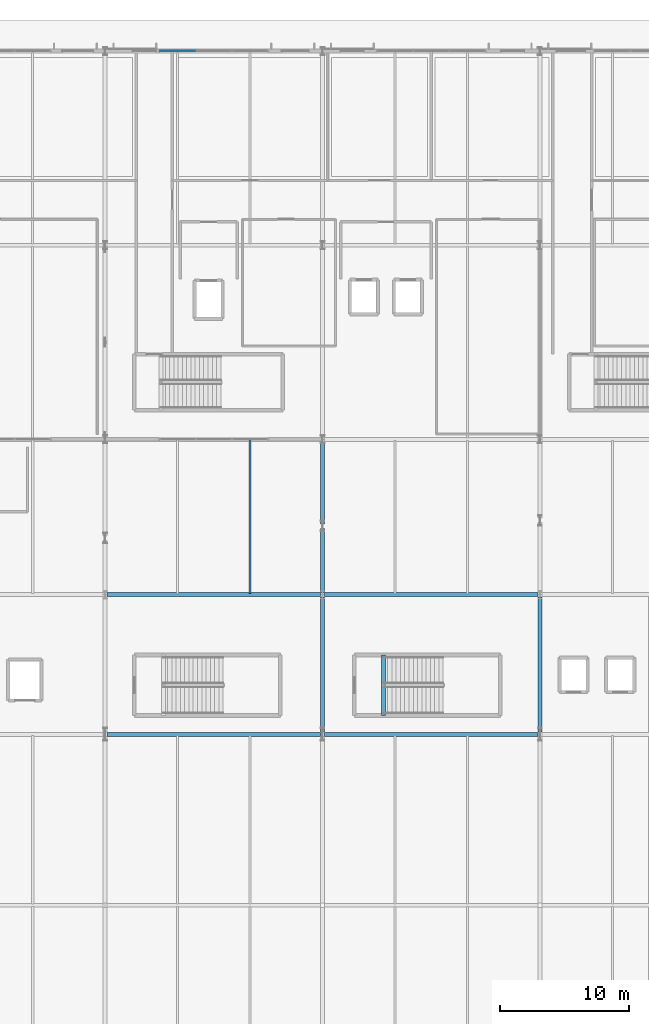
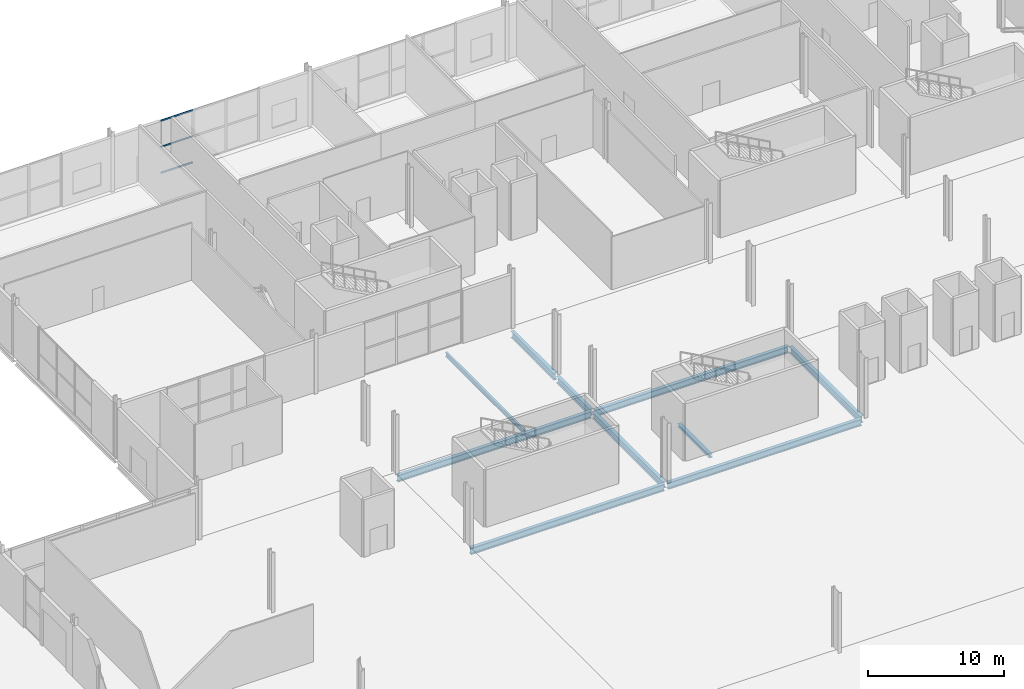
# One storey, part 31 of 87: 10 beams, 3 members, 1 element without a shape of its own.
"""IFC4 building model written with IfcOpenShell, lengths in metres."""

from ifc_helpers import new_model, si_unit, direction, frame, origin, origin_2d, place, context, subcontext, project, spatial, rectangle, i_section, extrude, material, material_profile, profile_set, type_object, element, aggregate, save


model = new_model("IFC4")

# Units and contexts
model_context = context("Model", 3, precision=1e-05, world=origin(), true_north=direction((0.0, 1.0)))
body_context = subcontext(model_context, "Body", "Model", "MODEL_VIEW")
ifc_project = project(units=[si_unit("LENGTHUNIT", "METRE"), si_unit("AREAUNIT", "SQUARE_METRE"), si_unit("VOLUMEUNIT", "CUBIC_METRE"), si_unit("PLANEANGLEUNIT", "RADIAN"), si_unit("MASSUNIT", "GRAM", prefix="KILO")], contexts=[model_context])

# Site, building, storey
site_placement = place(None, origin())
site = spatial("IfcSite", under=ifc_project, at=site_placement, CompositionType="ELEMENT")
building_placement = place(site_placement, origin())
building = spatial("IfcBuilding", under=site, at=building_placement, Name="Kimbaza Rail Terminus", CompositionType="ELEMENT")
storey_placement = place(building_placement, origin())
storey = spatial("IfcBuildingStorey", under=building, at=storey_placement, Name="L00", CompositionType="ELEMENT", Elevation=0.0)

# Curtain wall, members
ifc_material_1 = material(Name="Anodised aluminium framing and solar low-E glazing", Category="aluminium")
curtain_wall_type = type_object("IfcCurtainWallType", Name="ARC-CW-OP1", PredefinedType="USERDEFINED", material=ifc_material_1)
curtain_wall_placement = place(storey_placement, origin())
curtain_wall = element("IfcCurtainWall", 1, at=curtain_wall_placement, inside=storey, type_object=curtain_wall_type, Name="Operations North Curtain Wall L00 Bay 2", ObjectType="UNITISED CURTAIN WALL", PredefinedType="USERDEFINED")
ifc_material_2 = material(Name="Anodised architectural aluminium", Category="aluminium")
ifc_material_profile_1 = material_profile(ifc_material_2, rectangle(XDim=0.06201171875, YDim=0.135009765625, at=origin_2d()), Name="TRANSOM 62x135")
ifc_profile_set_1 = profile_set([ifc_material_profile_1], Name="Anodised architectural aluminium")
member_type = type_object("IfcMemberType", Name="ARC-CWT-05", PredefinedType="USERDEFINED", material=ifc_profile_set_1)
member_1_placement = place(storey_placement, frame((76.261962890625, 133.0, 0.031005859375), z_axis=(1.0, 0.0, 0.0), x_axis=(0.0, 1.0, 0.0)))
member_1 = element("IfcMember", 2, at=member_1_placement, type_object=member_type, Name="CW-05 transom 1.1", ObjectType="TRANSOM", PredefinedType="USERDEFINED", context=body_context, shape_type="SweptSolid", body=[
    extrude(rectangle(XDim=0.06201171875, YDim=0.135009765625, at=origin_2d()), origin(), (0.0, 0.0, 1.0), 2.70703125),
])
member_2_placement = place(storey_placement, frame((76.261962890625, 133.0, 2.382568359375), z_axis=(1.0, 0.0, 0.0), x_axis=(0.0, 1.0, 0.0)))
member_2 = element("IfcMember", 3, at=member_2_placement, type_object=member_type, Name="CW-05 transom 1.2", ObjectType="TRANSOM", PredefinedType="USERDEFINED", context=body_context, shape_type="SweptSolid", body=[
    extrude(rectangle(XDim=0.06201171875, YDim=0.135009765625, at=origin_2d()), origin(), (0.0, 0.0, 1.0), 2.70703125),
])
member_3_placement = place(storey_placement, frame((76.261962890625, 133.0, 4.73388671875), z_axis=(1.0, 0.0, 0.0), x_axis=(0.0, 1.0, 0.0)))
member_3 = element("IfcMember", 4, at=member_3_placement, type_object=member_type, Name="CW-05 transom 1.3", ObjectType="TRANSOM", PredefinedType="USERDEFINED", context=body_context, shape_type="SweptSolid", body=[
    extrude(rectangle(XDim=0.06201171875, YDim=0.135009765625, at=origin_2d()), origin(), (0.0, 0.0, 1.0), 2.70703125),
])
aggregate(curtain_wall, [member_1, member_2, member_3])

# Beams
ifc_material_3 = material(Name="Steel S355", Category="steel")
ifc_material_profile_2 = material_profile(ifc_material_3, i_section(OverallWidth=0.300048828125, OverallDepth=0.2900390625, WebThickness=0.008544921875, FlangeThickness=0.013916015625, FilletRadius=0.027099609375, at=origin_2d()), Name="HEA 300")
ifc_profile_set_2 = profile_set([ifc_material_profile_2], Name="Steel S355")
beam_type_1 = type_object("IfcBeamType", Name="STR-BM-HEA300", PredefinedType="SPANDREL", material=ifc_profile_set_2)
beam_1_placement = place(storey_placement, frame((93.5, 81.659912109375, -0.39501953125), z_axis=(0.0, 1.0, 0.0), x_axis=(-1.0, 0.0, 0.0)))
element("IfcBeam", 5, at=beam_1_placement, inside=storey, type_object=beam_type_1, Name="Footbridge West Platform Stair Landing Trimmer Beam L00", PredefinedType="SPANDREL", context=body_context, shape_type="SweptSolid", body=[
    extrude(i_section(OverallWidth=0.300048828125, OverallDepth=0.2900390625, WebThickness=0.008544921875, FlangeThickness=0.013916015625, FilletRadius=0.027099609375, at=origin_2d()), origin(), (0.0, 0.0, 1.0), 4.68017578125),
])
ifc_material_4 = material(Name="Steel S355", Category="steel")
ifc_material_profile_3 = material_profile(ifc_material_4, i_section(OverallWidth=0.300048828125, OverallDepth=0.60009765625, WebThickness=0.015380859375, FlangeThickness=0.030029296875, FilletRadius=0.027099609375, at=origin_2d()), Name="HEB 600")
ifc_profile_set_3 = profile_set([ifc_material_profile_3], Name="Steel S355")
beam_type_2 = type_object("IfcBeamType", Name="STR-BM-HEB600", PredefinedType="BEAM", material=ifc_profile_set_3)
for number, where, z_axis, x_axis, name in (
    (6, (88.800048828125, 80.375, -0.550048828125), (0.0, 1.0, 0.0), (-1.0, 0.0, 0.0), "Beam BM-V2Y-L00-2-80"),
    (7, (105.60009765625, 80.375, -0.550048828125), (0.0, 1.0, 0.0), (-1.0, 0.0, 0.0), "Beam BM-V2Y-L00-3-80"),
):
    element("IfcBeam", number, at=place(storey_placement, frame(where, z_axis=z_axis, x_axis=x_axis)), inside=storey, type_object=beam_type_2, Name=name, PredefinedType="BEAM", context=body_context, shape_type="SweptSolid", body=[
        extrude(i_section(OverallWidth=0.300048828125, OverallDepth=0.60009765625, WebThickness=0.015380859375, FlangeThickness=0.030029296875, FilletRadius=0.027099609375, at=origin_2d()), origin(), (0.0, 0.0, 1.0), 10.449951171875),
    ])
for number, where, z_axis, x_axis, name in (
    (8, (72.14599609375, 80.199951171875, -0.550048828125), (1.0, 0.0, 0.0), (0.0, 1.0, 0.0), "Beam BM-V2X-L00-5-2"),
    (9, (88.946044921875, 80.199951171875, -0.550048828125), (1.0, 0.0, 0.0), (0.0, 1.0, 0.0), "Beam BM-V2X-L00-5-3"),
    (10, (72.14599609375, 91.0, -0.550048828125), (1.0, 0.0, 0.0), (0.0, 1.0, 0.0), "Beam BM-V2X-L00-6-2"),
    (11, (88.946044921875, 91.0, -0.550048828125), (1.0, 0.0, 0.0), (0.0, 1.0, 0.0), "Beam BM-V2X-L00-6-3"),
):
    element("IfcBeam", number, at=place(storey_placement, frame(where, z_axis=z_axis, x_axis=x_axis)), inside=storey, type_object=beam_type_2, Name=name, PredefinedType="BEAM", context=body_context, shape_type="SweptSolid", body=[
        extrude(i_section(OverallWidth=0.300048828125, OverallDepth=0.60009765625, WebThickness=0.015380859375, FlangeThickness=0.030029296875, FilletRadius=0.027099609375, at=origin_2d()), origin(), (0.0, 0.0, 1.0), 16.508056640625),
    ])
beam_2_placement = place(storey_placement, frame((88.800048828125, 91.175048828125, -0.550048828125), z_axis=(0.0, 1.0, 0.0), x_axis=(-1.0, 0.0, 0.0)))
element("IfcBeam", 12, at=beam_2_placement, inside=storey, type_object=beam_type_2, Name="Beam BM-VSPN-L00-4", PredefinedType="BEAM", context=body_context, shape_type="SweptSolid", body=[
    extrude(i_section(OverallWidth=0.300048828125, OverallDepth=0.60009765625, WebThickness=0.015380859375, FlangeThickness=0.030029296875, FilletRadius=0.027099609375, at=origin_2d()), origin(), (0.0, 0.0, 1.0), 4.937744140625),
])
beam_3_placement = place(storey_placement, frame((88.800048828125, 96.462646484375, -0.550048828125), z_axis=(0.0, 1.0, 0.0), x_axis=(-1.0, 0.0, 0.0)))
element("IfcBeam", 13, at=beam_3_placement, inside=storey, type_object=beam_type_2, Name="Beam BM-VSPN2-L00-4", PredefinedType="BEAM", context=body_context, shape_type="SweptSolid", body=[
    extrude(i_section(OverallWidth=0.300048828125, OverallDepth=0.60009765625, WebThickness=0.015380859375, FlangeThickness=0.030029296875, FilletRadius=0.027099609375, at=origin_2d()), origin(), (0.0, 0.0, 1.0), 6.3623046875),
])
ifc_material_5 = material(Name="Steel S355", Category="steel")
ifc_material_profile_4 = material_profile(ifc_material_5, i_section(OverallWidth=0.179931640625, OverallDepth=0.39990234375, WebThickness=0.008544921875, FlangeThickness=0.013427734375, FilletRadius=0.02099609375, at=origin_2d()), Name="IPE 400")
ifc_profile_set_4 = profile_set([ifc_material_profile_4], Name="Steel S355")
beam_type_3 = type_object("IfcBeamType", Name="STR-BM-IPE400", PredefinedType="JOIST", material=ifc_profile_set_4)
beam_4_placement = place(storey_placement, frame((83.199951171875, 91.10009765625, -0.449951171875), z_axis=(0.0, 1.0, 0.0), x_axis=(-1.0, 0.0, 0.0)))
element("IfcBeam", 14, at=beam_4_placement, inside=storey, type_object=beam_type_3, Name="Beam JST-V2-L00-2-2-91", PredefinedType="JOIST", context=body_context, shape_type="SweptSolid", body=[
    extrude(i_section(OverallWidth=0.179931640625, OverallDepth=0.39990234375, WebThickness=0.008544921875, FlangeThickness=0.013427734375, FilletRadius=0.02099609375, at=origin_2d()), origin(), (0.0, 0.0, 1.0), 11.7998046875),
])

save(model, "model.ifc")
